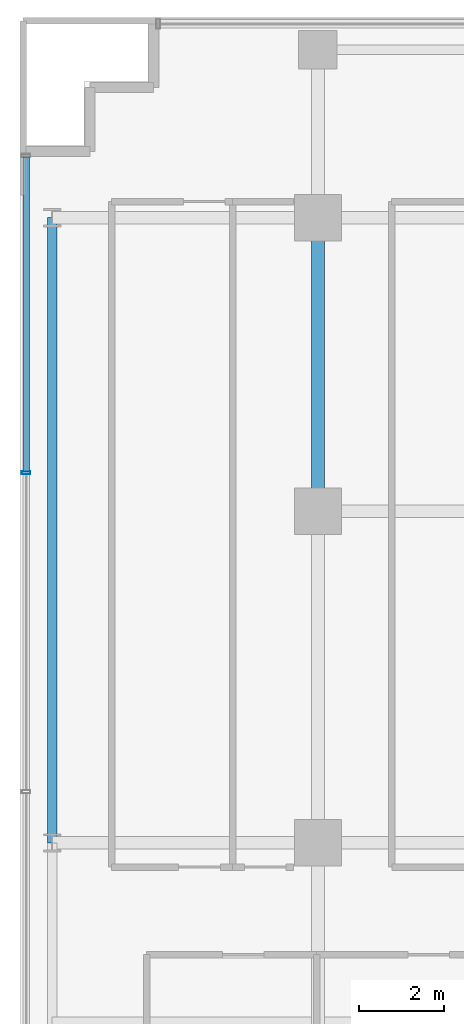
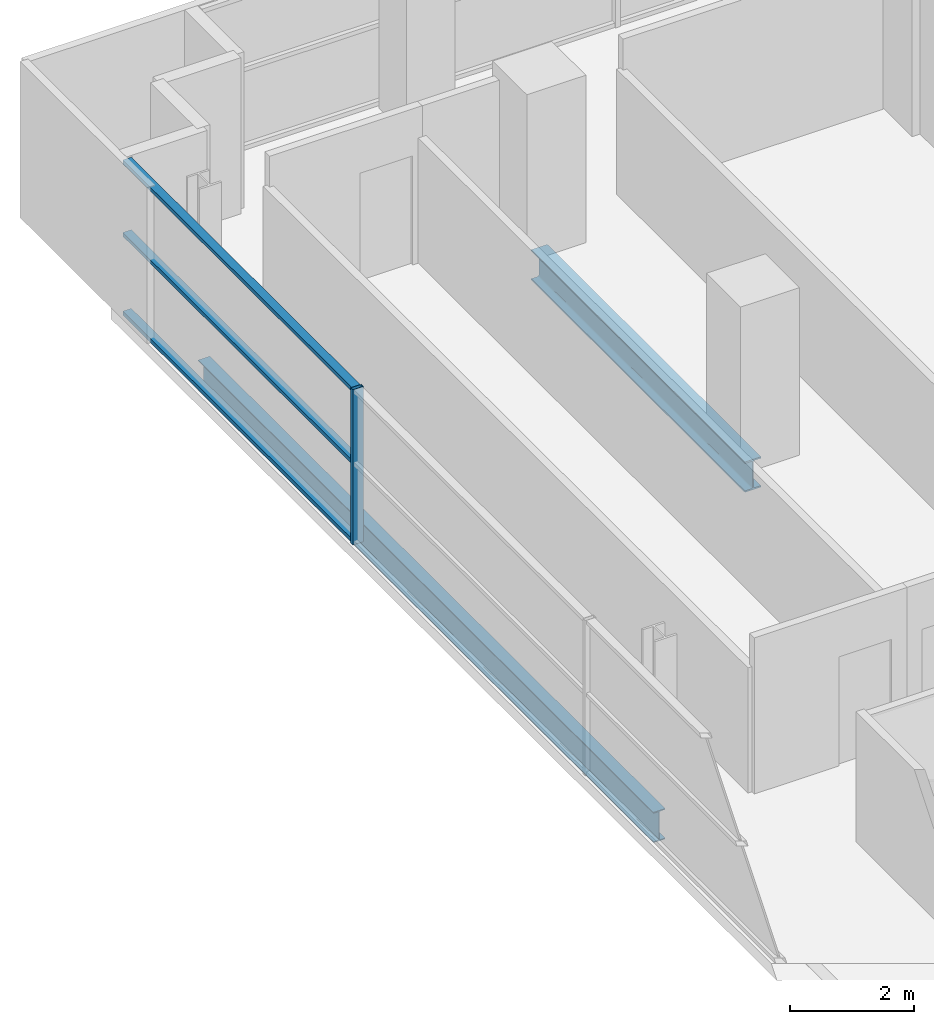
# One storey, part 9 of 26: 4 members, 2 beams, 1 element without a shape of its own.
"""IFC4 building model written with IfcOpenShell, lengths in metres."""

from ifc_helpers import new_model, si_unit, direction, frame, origin, origin_2d, place, context, subcontext, project, spatial, hollow_rectangle, i_section, extrude, source, transform, mapped, material, layer, layer_set, material_profile, profile_set, type_object, element, aggregate, save


model = new_model("IFC4")

# Units and contexts
model_context = context("Model", 3, precision=1e-05, world=origin(), true_north=direction((0.0, 1.0)))
body_context = subcontext(model_context, "Body", "Model", "MODEL_VIEW")
ifc_project = project(units=[si_unit("LENGTHUNIT", "METRE"), si_unit("AREAUNIT", "SQUARE_METRE"), si_unit("VOLUMEUNIT", "CUBIC_METRE"), si_unit("PLANEANGLEUNIT", "RADIAN"), si_unit("MASSUNIT", "GRAM", prefix="KILO")], contexts=[model_context])

# Site, building, storey
site_placement = place(None, origin())
site = spatial("IfcSite", under=ifc_project, at=site_placement, CompositionType="ELEMENT")
building_placement = place(site_placement, origin())
building = spatial("IfcBuilding", under=site, at=building_placement, Name="Zarnakvel Exchange Tower", CompositionType="ELEMENT")
storey_placement = place(building_placement, frame((0.0, 0.0, 70.300048828125)))
storey = spatial("IfcBuildingStorey", under=building, at=storey_placement, Name="L19", CompositionType="ELEMENT", Elevation=70.300048828125)

# Beams
ifc_material_1 = material(Name="Steel S355", Category="steel")
ifc_material_profile_1 = material_profile(ifc_material_1, i_section(OverallWidth=0.300048828125, OverallDepth=0.60009765625, WebThickness=0.015380859375, FlangeThickness=0.030029296875, FilletRadius=0.027099609375, at=origin_2d()))
ifc_profile_set_1 = profile_set([ifc_material_profile_1], Name="Steel S355")
beam_type_1 = type_object("IfcBeamType", Name="G-04", PredefinedType="BEAM", material=ifc_profile_set_1)
beam_1_placement = place(storey_placement, frame((-21.60009765625, 6.60009765625, -0.525146484375), z_axis=(0.0, 1.0, 0.0), x_axis=(-1.0, 0.0, 0.0)))
element("IfcBeam", 1, at=beam_1_placement, inside=storey, type_object=beam_type_1, Name="L19 Tower N-S Frame Beam", PredefinedType="BEAM", context=body_context, shape_type="SweptSolid", body=[
    extrude(i_section(OverallWidth=0.300048828125, OverallDepth=0.60009765625, WebThickness=0.015380859375, FlangeThickness=0.030029296875, FilletRadius=0.027099609375, at=origin_2d()), origin(), (0.0, 0.0, 1.0), 6.89990234375),
])
ifc_material_profile_2 = material_profile(ifc_material_1, i_section(OverallWidth=0.219970703125, OverallDepth=0.60009765625, WebThickness=0.011962890625, FlangeThickness=0.01904296875, FilletRadius=0.02392578125, at=origin_2d()))
ifc_profile_set_2 = profile_set([ifc_material_profile_2], Name="Steel S355")
beam_type_2 = type_object("IfcBeamType", Name="SP-01", PredefinedType="SPANDREL", material=ifc_profile_set_2)
beam_2_placement = place(storey_placement, frame((-27.85009765625, -1.199951171875, -0.525146484375), z_axis=(0.0, 1.0, 0.0), x_axis=(-1.0, 0.0, 0.0)))
element("IfcBeam", 2, at=beam_2_placement, inside=storey, type_object=beam_type_2, Name="L19 Tower N-S Frame Beam", PredefinedType="SPANDREL", context=body_context, shape_type="SweptSolid", body=[
    extrude(i_section(OverallWidth=0.219970703125, OverallDepth=0.60009765625, WebThickness=0.011962890625, FlangeThickness=0.01904296875, FilletRadius=0.02392578125, at=origin_2d()), origin(), (0.0, 0.0, 1.0), 14.699951171875),
])

# Curtain wall, members
ifc_material_2 = material(Name="Architectural Bronze Anodised Aluminium", Category="aluminium")
ifc_layer = layer(ifc_material_2, 0.199951171875)
ifc_layer_set = layer_set([ifc_layer], Name="Architectural Bronze Anodised Aluminium")
curtain_wall_type = type_object("IfcCurtainWallType", Name="CW-04", PredefinedType="NOTDEFINED", material=ifc_layer_set)
curtain_wall_placement = place(storey_placement, origin())
curtain_wall = element("IfcCurtainWall", 3, at=curtain_wall_placement, inside=storey, type_object=curtain_wall_type, Name="L19 Curtain Wall CW-L19-W1 (CW-04)", PredefinedType="NOTDEFINED")
ifc_material_profile_3 = material_profile(ifc_material_2, hollow_rectangle(XDim=0.159912109375, YDim=0.074951171875, WallThickness=0.00390625, at=origin_2d()))
ifc_profile_set_3 = profile_set([ifc_material_profile_3], Name="Architectural Bronze Anodised Aluminium")
member_type_1 = type_object("IfcMemberType", Name="CWT-04", PredefinedType="USERDEFINED", material=ifc_profile_set_3)
shared_shape_1 = source(origin(), body_context, "Body", "SweptSolid", [
    extrude(hollow_rectangle(XDim=0.159912109375, YDim=0.074951171875, WallThickness=0.00390625, at=origin_2d()), origin(), (0.0, 0.0, 1.0), 7.387451171875),
])
member_1_placement = place(storey_placement, frame((-28.4599609375, 7.53759765625, 0.037353515625), z_axis=(0.0, 1.0, 0.0), x_axis=(-1.0, 0.0, 0.0)))
member_1 = element("IfcMember", 4, at=member_1_placement, type_object=member_type_1, Name="CW-04 transom 4.1", ObjectType="TRANSOM", PredefinedType="USERDEFINED", context=body_context, shape_type="MappedRepresentation", body=[
    mapped(shared_shape_1, transform((0.0, 0.0, 0.0), x_axis=(1.0, 0.0, 0.0), y_axis=(0.0, 1.0, 0.0), z_axis=(0.0, 0.0, 1.0), scale=1.0)),
])
member_2_placement = place(storey_placement, frame((-28.4599609375, 7.53759765625, 1.588623046875), z_axis=(0.0, 1.0, 0.0), x_axis=(-1.0, 0.0, 0.0)))
member_2 = element("IfcMember", 5, at=member_2_placement, type_object=member_type_1, Name="CW-04 transom 4.2", ObjectType="TRANSOM", PredefinedType="USERDEFINED", context=body_context, shape_type="MappedRepresentation", body=[
    mapped(shared_shape_1, transform((0.0, 0.0, 0.0), x_axis=(1.0, 0.0, 0.0), y_axis=(0.0, 1.0, 0.0), z_axis=(0.0, 0.0, 1.0), scale=1.0)),
])
member_3_placement = place(storey_placement, frame((-28.4599609375, 7.53759765625, 3.017333984375), z_axis=(0.0, 1.0, 0.0), x_axis=(-1.0, 0.0, 0.0)))
member_3 = element("IfcMember", 6, at=member_3_placement, type_object=member_type_1, Name="CW-04 transom 4.3", ObjectType="TRANSOM", PredefinedType="USERDEFINED", context=body_context, shape_type="MappedRepresentation", body=[
    mapped(shared_shape_1, transform((0.0, 0.0, 0.0), x_axis=(1.0, 0.0, 0.0), y_axis=(0.0, 1.0, 0.0), z_axis=(0.0, 0.0, 1.0), scale=1.0)),
])
ifc_material_profile_4 = material_profile(ifc_material_2, hollow_rectangle(XDim=0.199951171875, YDim=0.074951171875, WallThickness=0.0048828125, at=origin_2d()))
ifc_profile_set_4 = profile_set([ifc_material_profile_4], Name="Architectural Bronze Anodised Aluminium")
member_type_2 = type_object("IfcMemberType", Name="CWM-04", PredefinedType="MULLION", material=ifc_profile_set_4)
shared_shape_2 = source(origin(), body_context, "Body", "SweptSolid", [
    extrude(hollow_rectangle(XDim=0.199951171875, YDim=0.074951171875, WallThickness=0.0048828125, at=origin_2d()), origin(), (0.0, 0.0, 1.0), 3.054931640625),
])
member_4_placement = place(storey_placement, frame((-28.4599609375, 7.5, 0.0), z_axis=(0.0, 0.0, 1.0), x_axis=(-1.0, 0.0, 0.0)))
member_4 = element("IfcMember", 7, at=member_4_placement, type_object=member_type_2, Name="CW-04 mullion 4", PredefinedType="MULLION", context=body_context, shape_type="MappedRepresentation", body=[
    mapped(shared_shape_2, transform((0.0, 0.0, 0.0), x_axis=(1.0, 0.0, 0.0), y_axis=(0.0, 1.0, 0.0), z_axis=(0.0, 0.0, 1.0), scale=1.0)),
])
aggregate(curtain_wall, [member_4, member_1, member_2, member_3])

save(model, "model.ifc")
